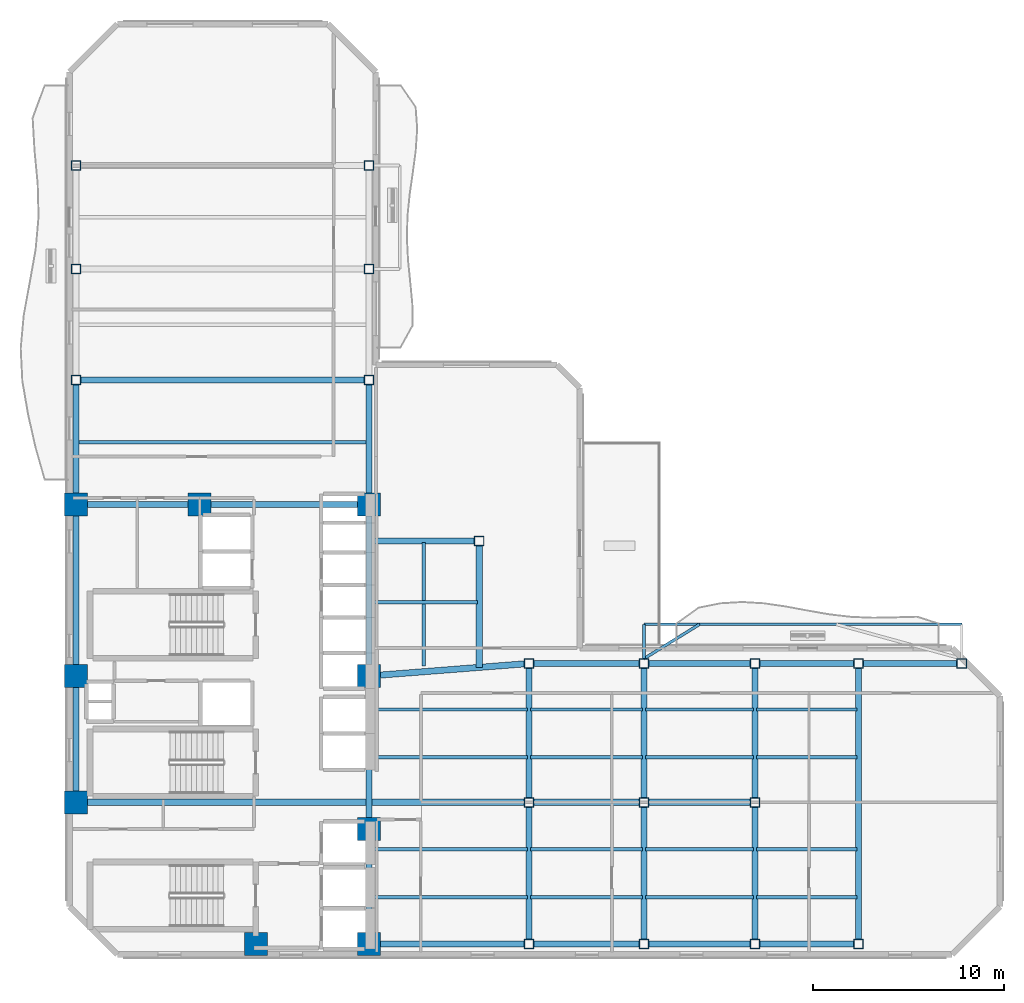
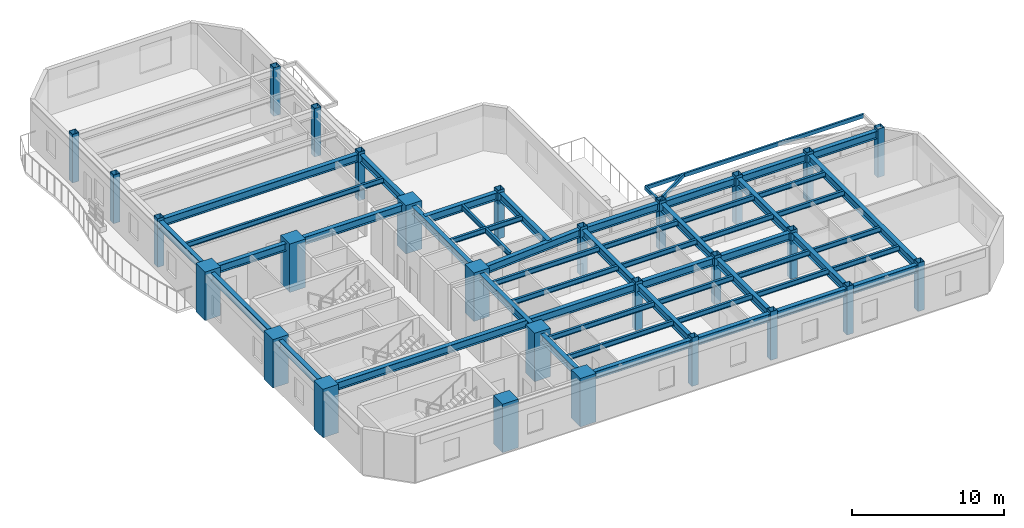
# One storey, part 1 of 11: 53 beams, 28 columns.
"""IFC4 building model written with IfcOpenShell, lengths in metres."""

from ifc_helpers import new_model, si_unit, direction, frame, origin, origin_2d, place, context, subcontext, project, spatial, rectangle, hollow_rectangle, i_section, extrude, material, material_profile, profile_set, type_object, element, save


model = new_model("IFC4")

# Units and contexts
model_context = context("Model", 3, precision=1e-05, world=origin(), true_north=direction((0.0, 1.0)))
body_context = subcontext(model_context, "Body", "Model", "MODEL_VIEW")
ifc_project = project(units=[si_unit("LENGTHUNIT", "METRE"), si_unit("AREAUNIT", "SQUARE_METRE"), si_unit("VOLUMEUNIT", "CUBIC_METRE"), si_unit("PLANEANGLEUNIT", "RADIAN"), si_unit("MASSUNIT", "GRAM", prefix="KILO")], contexts=[model_context])

# Site, building, storey
site_placement = place(None, origin())
site = spatial("IfcSite", under=ifc_project, at=site_placement, CompositionType="ELEMENT")
building_placement = place(site_placement, origin())
building = spatial("IfcBuilding", under=site, at=building_placement, Name="Mawjaban Terraces University", CompositionType="ELEMENT")
storey_placement = place(building_placement, frame((0.0, 0.0, 103.39990234375)))
storey = spatial("IfcBuildingStorey", under=building, at=storey_placement, Name="L24", CompositionType="ELEMENT", Elevation=103.39990234375)

# Columns
ifc_material_1 = material(Name="Concrete C60/75", Category="concrete")
ifc_material_profile_1 = material_profile(ifc_material_1, rectangle(XDim=1.199951171875, YDim=1.199951171875, at=origin_2d()), Name="RC1200X1200")
ifc_profile_set_1 = profile_set([ifc_material_profile_1], Name="Concrete C60/75")
column_type_1 = type_object("IfcColumnType", Name="Col_RC1200X1200", PredefinedType="COLUMN", material=ifc_profile_set_1)
for number, where, z_axis, x_axis, name in (
    (1, (31.75, 0.550048828125, 0.0), (0.0, 0.0, 1.0), (1.0, 0.0, 0.0), "L24 Column CC2"),
    (2, (37.64990234375, 0.550048828125, 0.0), (0.0, 0.0, 1.0), (1.0, 0.0, 0.0), "L24 Column CC3"),
    (3, (22.35009765625, 7.949951171875, 0.0), (0.0, 0.0, 1.0), (1.0, 0.0, 0.0), "L24 Column CC4"),
    (4, (37.64990234375, 6.550048828125, 0.0), (0.0, 0.0, 1.0), (1.0, 0.0, 0.0), "L24 Column CC5"),
    (5, (22.35009765625, 14.550048828125, 0.0), (0.0, 0.0, 1.0), (1.0, 0.0, 0.0), "L24 Column CC6"),
    (6, (37.64990234375, 14.550048828125, 0.0), (0.0, 0.0, 1.0), (1.0, 0.0, 0.0), "L24 Column CC7"),
    (7, (22.35009765625, 23.5, 0.0), (0.0, 0.0, 1.0), (1.0, 0.0, 0.0), "L24 Column CC8"),
    (8, (28.800048828125, 23.5, 0.0), (0.0, 0.0, 1.0), (1.0, 0.0, 0.0), "L24 Column CC9"),
    (9, (37.64990234375, 23.5, 0.0), (0.0, 0.0, 1.0), (1.0, 0.0, 0.0), "L24 Column CC10"),
):
    element("IfcColumn", number, at=place(storey_placement, frame(where, z_axis=z_axis, x_axis=x_axis)), inside=storey, type_object=column_type_1, Name=name, PredefinedType="COLUMN", context=body_context, shape_type="SweptSolid", body=[
        extrude(rectangle(XDim=1.199951171875, YDim=1.199951171875, at=origin_2d()), origin(), (0.0, 0.0, 1.0), 3.900146484375),
    ])
ifc_material_2 = material(Name="Steel EN 10210-1 S355J2H", Category="steel")
ifc_material_profile_2 = material_profile(ifc_material_2, hollow_rectangle(XDim=0.5, YDim=0.5, WallThickness=0.02490234375, at=origin_2d()), Name="SHS500X500X25")
ifc_profile_set_2 = profile_set([ifc_material_profile_2], Name="Steel EN 10210-1 S355J2H")
column_type_2 = type_object("IfcColumnType", Name="Col_SHS500X500X25", PredefinedType="COLUMN", material=ifc_profile_set_2)
for number, where, z_axis, x_axis, name in (
    (10, (46.0, 0.550048828125, 0.0), (0.0, 0.0, 1.0), (1.0, 0.0, 0.0), "L24 Column TE-460-005"),
    (11, (46.0, 7.949951171875, 0.0), (0.0, 0.0, 1.0), (1.0, 0.0, 0.0), "L24 Column TE-460-080"),
    (12, (46.0, 15.199951171875, 0.0), (0.0, 0.0, 1.0), (1.0, 0.0, 0.0), "L24 Column TE-460-152"),
    (13, (52.0, 0.550048828125, 0.0), (0.0, 0.0, 1.0), (1.0, 0.0, 0.0), "L24 Column TE-520-005"),
    (14, (52.0, 7.949951171875, 0.0), (0.0, 0.0, 1.0), (1.0, 0.0, 0.0), "L24 Column TE-520-080"),
    (15, (52.0, 15.199951171875, 0.0), (0.0, 0.0, 1.0), (1.0, 0.0, 0.0), "L24 Column TE-520-152"),
    (16, (57.800048828125, 0.550048828125, 0.0), (0.0, 0.0, 1.0), (1.0, 0.0, 0.0), "L24 Column TE-578-005"),
    (17, (57.800048828125, 7.949951171875, 0.0), (0.0, 0.0, 1.0), (1.0, 0.0, 0.0), "L24 Column TE-578-080"),
    (18, (57.800048828125, 15.199951171875, 0.0), (0.0, 0.0, 1.0), (1.0, 0.0, 0.0), "L24 Column TE-578-152"),
    (19, (63.199951171875, 0.550048828125, 0.0), (0.0, 0.0, 1.0), (1.0, 0.0, 0.0), "L24 Column TE-632-005"),
    (20, (63.199951171875, 15.199951171875, 0.0), (0.0, 0.0, 1.0), (1.0, 0.0, 0.0), "L24 Column TE-632-152"),
    (21, (68.60009765625, 15.199951171875, 0.0), (0.0, 0.0, 1.0), (1.0, 0.0, 0.0), "L24 Column TE-686-152"),
    (22, (22.35009765625, 30.0, 0.0), (0.0, 0.0, 1.0), (1.0, 0.0, 0.0), "L24 Column TN-223-300"),
    (23, (37.64990234375, 30.0, 0.0), (0.0, 0.0, 1.0), (1.0, 0.0, 0.0), "L24 Column TN-376-300"),
    (24, (22.35009765625, 35.800048828125, 0.0), (0.0, 0.0, 1.0), (1.0, 0.0, 0.0), "L24 Column TN-223-358"),
    (25, (37.64990234375, 35.800048828125, 0.0), (0.0, 0.0, 1.0), (1.0, 0.0, 0.0), "L24 Column TN-376-358"),
    (26, (22.35009765625, 41.199951171875, 0.0), (0.0, 0.0, 1.0), (1.0, 0.0, 0.0), "L24 Column TN-223-412"),
    (27, (37.64990234375, 41.199951171875, 0.0), (0.0, 0.0, 1.0), (1.0, 0.0, 0.0), "L24 Column TN-376-412"),
    (28, (43.39990234375, 21.60009765625, 0.0), (0.0, 0.0, 1.0), (1.0, 0.0, 0.0), "L24 Column TS-434-216"),
):
    element("IfcColumn", number, at=place(storey_placement, frame(where, z_axis=z_axis, x_axis=x_axis)), inside=storey, type_object=column_type_2, Name=name, PredefinedType="COLUMN", context=body_context, shape_type="SweptSolid", body=[
        extrude(hollow_rectangle(XDim=0.5, YDim=0.5, WallThickness=0.02490234375, at=origin_2d()), origin(), (0.0, 0.0, 1.0), 3.900146484375),
    ])

# Beams
ifc_material_profile_3 = material_profile(ifc_material_2, hollow_rectangle(XDim=0.14990234375, YDim=0.300048828125, WallThickness=0.012451171875, at=origin_2d()), Name="RHS300X150X12.5")
ifc_profile_set_3 = profile_set([ifc_material_profile_3], Name="Steel EN 10210-1 S355J2H")
beam_type_1 = type_object("IfcBeamType", Name="BalconyCantileverSpandrel_RHS", PredefinedType="SPANDREL", material=ifc_profile_set_3)
beam_1_placement = place(storey_placement, frame((52.0, 15.449951171875, 3.5400390625), z_axis=(0.0, 1.0, 0.0), x_axis=(-1.0, 0.0, 0.0)))
element("IfcBeam", 29, at=beam_1_placement, inside=storey, type_object=beam_type_1, Name="L24 Exterior Outrigger BAL-L25-N.1", PredefinedType="SPANDREL", context=body_context, shape_type="SweptSolid", body=[
    extrude(hollow_rectangle(XDim=0.14990234375, YDim=0.300048828125, WallThickness=0.012451171875, at=origin_2d()), origin(), (0.0, 0.0, 1.0), 1.800048828125),
])
beam_2_placement = place(storey_placement, frame((52.0, 17.25, 3.5400390625), z_axis=(1.0, 0.0, 0.0), x_axis=(0.0, 1.0, 0.0)))
element("IfcBeam", 30, at=beam_2_placement, inside=storey, type_object=beam_type_1, Name="L24 Exterior Edge Spandrel BAL-L25-N", PredefinedType="SPANDREL", context=body_context, shape_type="SweptSolid", body=[
    extrude(hollow_rectangle(XDim=0.14990234375, YDim=0.300048828125, WallThickness=0.012451171875, at=origin_2d()), origin(), (0.0, 0.0, 1.0), 16.60009765625),
])
beam_3_placement = place(storey_placement, frame((52.0, 15.449951171875, 3.5400390625), z_axis=(0.850359433477, 0.526202274698, 0.0), x_axis=(-0.526202274698, 0.850359433477, 0.0)))
element("IfcBeam", 31, at=beam_3_placement, inside=storey, type_object=beam_type_1, Name="L24 Exterior Diagonal Strut BAL-L25-N.1", PredefinedType="SPANDREL", context=body_context, shape_type="SweptSolid", body=[
    extrude(hollow_rectangle(XDim=0.14990234375, YDim=0.300048828125, WallThickness=0.012451171875, at=origin_2d()), origin(), (0.0, 0.0, 1.0), 3.4208984375),
])
ifc_material_3 = material(Name="Steel ASTM A572 Grade 50", Category="steel")
ifc_material_profile_4 = material_profile(ifc_material_3, i_section(OverallWidth=0.324951171875, OverallDepth=0.615966796875, WebThickness=0.013916015625, FlangeThickness=0.021484375, at=origin_2d()), Name="W610X174")
ifc_profile_set_4 = profile_set([ifc_material_profile_4], Name="Steel ASTM A572 Grade 50")
beam_type_2 = type_object("IfcBeamType", Name="Beam_B_W610X174", PredefinedType="BEAM", material=ifc_profile_set_4)
beam_4_placement = place(storey_placement, frame((38.25, 0.550048828125, 3.382080078125), z_axis=(1.0, 0.0, 0.0), x_axis=(0.0, 1.0, 0.0)))
element("IfcBeam", 32, at=beam_4_placement, inside=storey, type_object=beam_type_2, Name="L24 Beam BM-L24-EW-01", PredefinedType="BEAM", context=body_context, shape_type="SweptSolid", body=[
    extrude(i_section(OverallWidth=0.324951171875, OverallDepth=0.615966796875, WebThickness=0.013916015625, FlangeThickness=0.021484375, at=origin_2d()), origin(), (0.0, 0.0, 1.0), 7.5),
])
beam_5_placement = place(storey_placement, frame((46.25, 0.550048828125, 3.382080078125), z_axis=(1.0, 0.0, 0.0), x_axis=(0.0, 1.0, 0.0)))
element("IfcBeam", 33, at=beam_5_placement, inside=storey, type_object=beam_type_2, Name="L24 Beam BM-L24-EW-02", PredefinedType="BEAM", context=body_context, shape_type="SweptSolid", body=[
    extrude(i_section(OverallWidth=0.324951171875, OverallDepth=0.615966796875, WebThickness=0.013916015625, FlangeThickness=0.021484375, at=origin_2d()), origin(), (0.0, 0.0, 1.0), 5.5),
])
beam_6_placement = place(storey_placement, frame((52.25, 0.550048828125, 3.382080078125), z_axis=(1.0, 0.0, 0.0), x_axis=(0.0, 1.0, 0.0)))
element("IfcBeam", 34, at=beam_6_placement, inside=storey, type_object=beam_type_2, Name="L24 Beam BM-L24-EW-03", PredefinedType="BEAM", context=body_context, shape_type="SweptSolid", body=[
    extrude(i_section(OverallWidth=0.324951171875, OverallDepth=0.615966796875, WebThickness=0.013916015625, FlangeThickness=0.021484375, at=origin_2d()), origin(), (0.0, 0.0, 1.0), 5.300048828125),
])
beam_7_placement = place(storey_placement, frame((58.050048828125, 0.550048828125, 3.382080078125), z_axis=(1.0, 0.0, 0.0), x_axis=(0.0, 1.0, 0.0)))
element("IfcBeam", 35, at=beam_7_placement, inside=storey, type_object=beam_type_2, Name="L24 Beam BM-L24-EW-04", PredefinedType="BEAM", context=body_context, shape_type="SweptSolid", body=[
    extrude(i_section(OverallWidth=0.324951171875, OverallDepth=0.615966796875, WebThickness=0.013916015625, FlangeThickness=0.021484375, at=origin_2d()), origin(), (0.0, 0.0, 1.0), 4.89990234375),
])
beam_8_placement = place(storey_placement, frame((22.949951171875, 7.949951171875, 3.382080078125), z_axis=(1.0, 0.0, 0.0), x_axis=(0.0, 1.0, 0.0)))
element("IfcBeam", 36, at=beam_8_placement, inside=storey, type_object=beam_type_2, Name="L24 Beam BM-L24-EW-05", PredefinedType="BEAM", context=body_context, shape_type="SweptSolid", body=[
    extrude(i_section(OverallWidth=0.324951171875, OverallDepth=0.615966796875, WebThickness=0.013916015625, FlangeThickness=0.021484375, at=origin_2d()), origin(), (0.0, 0.0, 1.0), 22.800048828125),
])
beam_9_placement = place(storey_placement, frame((46.25, 7.949951171875, 3.382080078125), z_axis=(1.0, 0.0, 0.0), x_axis=(0.0, 1.0, 0.0)))
element("IfcBeam", 37, at=beam_9_placement, inside=storey, type_object=beam_type_2, Name="L24 Beam BM-L24-EW-06", PredefinedType="BEAM", context=body_context, shape_type="SweptSolid", body=[
    extrude(i_section(OverallWidth=0.324951171875, OverallDepth=0.615966796875, WebThickness=0.013916015625, FlangeThickness=0.021484375, at=origin_2d()), origin(), (0.0, 0.0, 1.0), 5.5),
])
beam_10_placement = place(storey_placement, frame((52.25, 7.949951171875, 3.382080078125), z_axis=(1.0, 0.0, 0.0), x_axis=(0.0, 1.0, 0.0)))
element("IfcBeam", 38, at=beam_10_placement, inside=storey, type_object=beam_type_2, Name="L24 Beam BM-L24-EW-07", PredefinedType="BEAM", context=body_context, shape_type="SweptSolid", body=[
    extrude(i_section(OverallWidth=0.324951171875, OverallDepth=0.615966796875, WebThickness=0.013916015625, FlangeThickness=0.021484375, at=origin_2d()), origin(), (0.0, 0.0, 1.0), 5.300048828125),
])
beam_11_placement = place(storey_placement, frame((46.25, 15.199951171875, 3.382080078125), z_axis=(1.0, 0.0, 0.0), x_axis=(0.0, 1.0, 0.0)))
element("IfcBeam", 39, at=beam_11_placement, inside=storey, type_object=beam_type_2, Name="L24 Beam BM-L24-EW-08", PredefinedType="BEAM", context=body_context, shape_type="SweptSolid", body=[
    extrude(i_section(OverallWidth=0.324951171875, OverallDepth=0.615966796875, WebThickness=0.013916015625, FlangeThickness=0.021484375, at=origin_2d()), origin(), (0.0, 0.0, 1.0), 5.5),
])
beam_12_placement = place(storey_placement, frame((52.25, 15.199951171875, 3.382080078125), z_axis=(1.0, 0.0, 0.0), x_axis=(0.0, 1.0, 0.0)))
element("IfcBeam", 40, at=beam_12_placement, inside=storey, type_object=beam_type_2, Name="L24 Beam BM-L24-EW-09", PredefinedType="BEAM", context=body_context, shape_type="SweptSolid", body=[
    extrude(i_section(OverallWidth=0.324951171875, OverallDepth=0.615966796875, WebThickness=0.013916015625, FlangeThickness=0.021484375, at=origin_2d()), origin(), (0.0, 0.0, 1.0), 5.300048828125),
])
beam_13_placement = place(storey_placement, frame((58.050048828125, 15.199951171875, 3.382080078125), z_axis=(1.0, 0.0, 0.0), x_axis=(0.0, 1.0, 0.0)))
element("IfcBeam", 41, at=beam_13_placement, inside=storey, type_object=beam_type_2, Name="L24 Beam BM-L24-EW-10", PredefinedType="BEAM", context=body_context, shape_type="SweptSolid", body=[
    extrude(i_section(OverallWidth=0.324951171875, OverallDepth=0.615966796875, WebThickness=0.013916015625, FlangeThickness=0.021484375, at=origin_2d()), origin(), (0.0, 0.0, 1.0), 4.89990234375),
])
beam_14_placement = place(storey_placement, frame((63.449951171875, 15.199951171875, 3.382080078125), z_axis=(1.0, 0.0, 0.0), x_axis=(0.0, 1.0, 0.0)))
element("IfcBeam", 42, at=beam_14_placement, inside=storey, type_object=beam_type_2, Name="L24 Beam BM-L24-EW-11", PredefinedType="BEAM", context=body_context, shape_type="SweptSolid", body=[
    extrude(i_section(OverallWidth=0.324951171875, OverallDepth=0.615966796875, WebThickness=0.013916015625, FlangeThickness=0.021484375, at=origin_2d()), origin(), (0.0, 0.0, 1.0), 4.900146484375),
])
beam_15_placement = place(storey_placement, frame((22.949951171875, 23.5, 3.382080078125), z_axis=(1.0, 0.0, 0.0), x_axis=(0.0, 1.0, 0.0)))
element("IfcBeam", 43, at=beam_15_placement, inside=storey, type_object=beam_type_2, Name="L24 Beam BM-L24-EW-12", PredefinedType="BEAM", context=body_context, shape_type="SweptSolid", body=[
    extrude(i_section(OverallWidth=0.324951171875, OverallDepth=0.615966796875, WebThickness=0.013916015625, FlangeThickness=0.021484375, at=origin_2d()), origin(), (0.0, 0.0, 1.0), 5.25),
])
beam_16_placement = place(storey_placement, frame((29.39990234375, 23.5, 3.382080078125), z_axis=(1.0, 0.0, 0.0), x_axis=(0.0, 1.0, 0.0)))
element("IfcBeam", 44, at=beam_16_placement, inside=storey, type_object=beam_type_2, Name="L24 Beam BM-L24-EW-13", PredefinedType="BEAM", context=body_context, shape_type="SweptSolid", body=[
    extrude(i_section(OverallWidth=0.324951171875, OverallDepth=0.615966796875, WebThickness=0.013916015625, FlangeThickness=0.021484375, at=origin_2d()), origin(), (0.0, 0.0, 1.0), 7.650146484375),
])
beam_17_placement = place(storey_placement, frame((22.60009765625, 30.0, 3.382080078125), z_axis=(1.0, 0.0, 0.0), x_axis=(0.0, 1.0, 0.0)))
element("IfcBeam", 45, at=beam_17_placement, inside=storey, type_object=beam_type_2, Name="L24 Beam BM-L24-EW-14", PredefinedType="BEAM", context=body_context, shape_type="SweptSolid", body=[
    extrude(i_section(OverallWidth=0.324951171875, OverallDepth=0.615966796875, WebThickness=0.013916015625, FlangeThickness=0.021484375, at=origin_2d()), origin(), (0.0, 0.0, 1.0), 14.7998046875),
])
beam_18_placement = place(storey_placement, frame((22.35009765625, 8.550048828125, 3.382080078125), z_axis=(0.0, 1.0, 0.0), x_axis=(-1.0, 0.0, 0.0)))
element("IfcBeam", 46, at=beam_18_placement, inside=storey, type_object=beam_type_2, Name="L24 Beam BM-L24-NS-01", PredefinedType="BEAM", context=body_context, shape_type="SweptSolid", body=[
    extrude(i_section(OverallWidth=0.324951171875, OverallDepth=0.615966796875, WebThickness=0.013916015625, FlangeThickness=0.021484375, at=origin_2d()), origin(), (0.0, 0.0, 1.0), 5.39990234375),
])
beam_19_placement = place(storey_placement, frame((22.35009765625, 15.14990234375, 3.382080078125), z_axis=(0.0, 1.0, 0.0), x_axis=(-1.0, 0.0, 0.0)))
element("IfcBeam", 47, at=beam_19_placement, inside=storey, type_object=beam_type_2, Name="L24 Beam BM-L24-NS-02", PredefinedType="BEAM", context=body_context, shape_type="SweptSolid", body=[
    extrude(i_section(OverallWidth=0.324951171875, OverallDepth=0.615966796875, WebThickness=0.013916015625, FlangeThickness=0.021484375, at=origin_2d()), origin(), (0.0, 0.0, 1.0), 7.75),
])
beam_20_placement = place(storey_placement, frame((22.35009765625, 24.10009765625, 3.382080078125), z_axis=(0.0, 1.0, 0.0), x_axis=(-1.0, 0.0, 0.0)))
element("IfcBeam", 48, at=beam_20_placement, inside=storey, type_object=beam_type_2, Name="L24 Beam BM-L24-NS-03", PredefinedType="BEAM", context=body_context, shape_type="SweptSolid", body=[
    extrude(i_section(OverallWidth=0.324951171875, OverallDepth=0.615966796875, WebThickness=0.013916015625, FlangeThickness=0.021484375, at=origin_2d()), origin(), (0.0, 0.0, 1.0), 5.64990234375),
])
beam_21_placement = place(storey_placement, frame((37.64990234375, 1.14990234375, 3.382080078125), z_axis=(0.0, 1.0, 0.0), x_axis=(-1.0, 0.0, 0.0)))
element("IfcBeam", 49, at=beam_21_placement, inside=storey, type_object=beam_type_2, Name="L24 Beam BM-L24-NS-06", PredefinedType="BEAM", context=body_context, shape_type="SweptSolid", body=[
    extrude(i_section(OverallWidth=0.324951171875, OverallDepth=0.615966796875, WebThickness=0.013916015625, FlangeThickness=0.021484375, at=origin_2d()), origin(), (0.0, 0.0, 1.0), 4.800048828125),
])
beam_22_placement = place(storey_placement, frame((37.64990234375, 7.14990234375, 3.382080078125), z_axis=(0.0, 1.0, 0.0), x_axis=(-1.0, 0.0, 0.0)))
element("IfcBeam", 50, at=beam_22_placement, inside=storey, type_object=beam_type_2, Name="L24 Beam BM-L24-NS-07", PredefinedType="BEAM", context=body_context, shape_type="SweptSolid", body=[
    extrude(i_section(OverallWidth=0.324951171875, OverallDepth=0.615966796875, WebThickness=0.013916015625, FlangeThickness=0.021484375, at=origin_2d()), origin(), (0.0, 0.0, 1.0), 6.800048828125),
])
beam_23_placement = place(storey_placement, frame((37.64990234375, 15.14990234375, 3.382080078125), z_axis=(0.0, 1.0, 0.0), x_axis=(-1.0, 0.0, 0.0)))
element("IfcBeam", 51, at=beam_23_placement, inside=storey, type_object=beam_type_2, Name="L24 Beam BM-L24-NS-08", PredefinedType="BEAM", context=body_context, shape_type="SweptSolid", body=[
    extrude(i_section(OverallWidth=0.324951171875, OverallDepth=0.615966796875, WebThickness=0.013916015625, FlangeThickness=0.021484375, at=origin_2d()), origin(), (0.0, 0.0, 1.0), 7.75),
])
beam_24_placement = place(storey_placement, frame((37.64990234375, 24.10009765625, 3.382080078125), z_axis=(0.0, 1.0, 0.0), x_axis=(-1.0, 0.0, 0.0)))
element("IfcBeam", 52, at=beam_24_placement, inside=storey, type_object=beam_type_2, Name="L24 Beam BM-L24-NS-09", PredefinedType="BEAM", context=body_context, shape_type="SweptSolid", body=[
    extrude(i_section(OverallWidth=0.324951171875, OverallDepth=0.615966796875, WebThickness=0.013916015625, FlangeThickness=0.021484375, at=origin_2d()), origin(), (0.0, 0.0, 1.0), 5.64990234375),
])
beam_25_placement = place(storey_placement, frame((46.0, 0.800048828125, 3.382080078125), z_axis=(0.0, 1.0, 0.0), x_axis=(-1.0, 0.0, 0.0)))
element("IfcBeam", 53, at=beam_25_placement, inside=storey, type_object=beam_type_2, Name="L24 Beam BM-L24-NS-12", PredefinedType="BEAM", context=body_context, shape_type="SweptSolid", body=[
    extrude(i_section(OverallWidth=0.324951171875, OverallDepth=0.615966796875, WebThickness=0.013916015625, FlangeThickness=0.021484375, at=origin_2d()), origin(), (0.0, 0.0, 1.0), 6.89990234375),
])
beam_26_placement = place(storey_placement, frame((46.0, 8.199951171875, 3.382080078125), z_axis=(0.0, 1.0, 0.0), x_axis=(-1.0, 0.0, 0.0)))
element("IfcBeam", 54, at=beam_26_placement, inside=storey, type_object=beam_type_2, Name="L24 Beam BM-L24-NS-13", PredefinedType="BEAM", context=body_context, shape_type="SweptSolid", body=[
    extrude(i_section(OverallWidth=0.324951171875, OverallDepth=0.615966796875, WebThickness=0.013916015625, FlangeThickness=0.021484375, at=origin_2d()), origin(), (0.0, 0.0, 1.0), 6.75),
])
beam_27_placement = place(storey_placement, frame((52.0, 0.800048828125, 3.382080078125), z_axis=(0.0, 1.0, 0.0), x_axis=(-1.0, 0.0, 0.0)))
element("IfcBeam", 55, at=beam_27_placement, inside=storey, type_object=beam_type_2, Name="L24 Beam BM-L24-NS-14", PredefinedType="BEAM", context=body_context, shape_type="SweptSolid", body=[
    extrude(i_section(OverallWidth=0.324951171875, OverallDepth=0.615966796875, WebThickness=0.013916015625, FlangeThickness=0.021484375, at=origin_2d()), origin(), (0.0, 0.0, 1.0), 6.89990234375),
])
beam_28_placement = place(storey_placement, frame((52.0, 8.199951171875, 3.382080078125), z_axis=(0.0, 1.0, 0.0), x_axis=(-1.0, 0.0, 0.0)))
element("IfcBeam", 56, at=beam_28_placement, inside=storey, type_object=beam_type_2, Name="L24 Beam BM-L24-NS-15", PredefinedType="BEAM", context=body_context, shape_type="SweptSolid", body=[
    extrude(i_section(OverallWidth=0.324951171875, OverallDepth=0.615966796875, WebThickness=0.013916015625, FlangeThickness=0.021484375, at=origin_2d()), origin(), (0.0, 0.0, 1.0), 6.75),
])
beam_29_placement = place(storey_placement, frame((57.800048828125, 0.800048828125, 3.382080078125), z_axis=(0.0, 1.0, 0.0), x_axis=(-1.0, 0.0, 0.0)))
element("IfcBeam", 57, at=beam_29_placement, inside=storey, type_object=beam_type_2, Name="L24 Beam BM-L24-NS-16", PredefinedType="BEAM", context=body_context, shape_type="SweptSolid", body=[
    extrude(i_section(OverallWidth=0.324951171875, OverallDepth=0.615966796875, WebThickness=0.013916015625, FlangeThickness=0.021484375, at=origin_2d()), origin(), (0.0, 0.0, 1.0), 6.89990234375),
])
beam_30_placement = place(storey_placement, frame((57.800048828125, 8.199951171875, 3.382080078125), z_axis=(0.0, 1.0, 0.0), x_axis=(-1.0, 0.0, 0.0)))
element("IfcBeam", 58, at=beam_30_placement, inside=storey, type_object=beam_type_2, Name="L24 Beam BM-L24-NS-17", PredefinedType="BEAM", context=body_context, shape_type="SweptSolid", body=[
    extrude(i_section(OverallWidth=0.324951171875, OverallDepth=0.615966796875, WebThickness=0.013916015625, FlangeThickness=0.021484375, at=origin_2d()), origin(), (0.0, 0.0, 1.0), 6.75),
])
beam_31_placement = place(storey_placement, frame((63.199951171875, 0.800048828125, 3.382080078125), z_axis=(0.0, 1.0, 0.0), x_axis=(-1.0, 0.0, 0.0)))
element("IfcBeam", 59, at=beam_31_placement, inside=storey, type_object=beam_type_2, Name="L24 Beam BM-L24-NS-18", PredefinedType="BEAM", context=body_context, shape_type="SweptSolid", body=[
    extrude(i_section(OverallWidth=0.324951171875, OverallDepth=0.615966796875, WebThickness=0.013916015625, FlangeThickness=0.021484375, at=origin_2d()), origin(), (0.0, 0.0, 1.0), 14.14990234375),
])
beam_32_placement = place(storey_placement, frame((38.248046875, 14.596923828125, 3.382080078125), z_axis=(0.996984614132, 0.077599479273, 0.0), x_axis=(-0.077599479273, 0.996984614132, 0.0)))
element("IfcBeam", 60, at=beam_32_placement, inside=storey, type_object=beam_type_2, Name="L24 Beam BM-L24-CTIE", PredefinedType="BEAM", context=body_context, shape_type="SweptSolid", body=[
    extrude(i_section(OverallWidth=0.324951171875, OverallDepth=0.615966796875, WebThickness=0.013916015625, FlangeThickness=0.021484375, at=origin_2d()), origin(), (0.0, 0.0, 1.0), 7.525634765625),
])
beam_33_placement = place(storey_placement, frame((37.679931640625, 21.60009765625, 3.382080078125), z_axis=(1.0, 0.0, 0.0), x_axis=(0.0, 1.0, 0.0)))
element("IfcBeam", 61, at=beam_33_placement, inside=storey, type_object=beam_type_2, Name="L24 Spur Tie Girder West", PredefinedType="BEAM", context=body_context, shape_type="SweptSolid", body=[
    extrude(i_section(OverallWidth=0.324951171875, OverallDepth=0.615966796875, WebThickness=0.013916015625, FlangeThickness=0.021484375, at=origin_2d()), origin(), (0.0, 0.0, 1.0), 5.469970703125),
])
beam_34_placement = place(storey_placement, frame((43.39990234375, 15.0, 3.382080078125), z_axis=(0.0, 1.0, 0.0), x_axis=(-1.0, 0.0, 0.0)))
element("IfcBeam", 62, at=beam_34_placement, inside=storey, type_object=beam_type_2, Name="L24 Spur Tie Girder South", PredefinedType="BEAM", context=body_context, shape_type="SweptSolid", body=[
    extrude(i_section(OverallWidth=0.324951171875, OverallDepth=0.615966796875, WebThickness=0.013916015625, FlangeThickness=0.021484375, at=origin_2d()), origin(), (0.0, 0.0, 1.0), 6.35009765625),
])
ifc_material_profile_5 = material_profile(ifc_material_3, i_section(OverallWidth=0.179931640625, OverallDepth=0.4130859375, WebThickness=0.009765625, FlangeThickness=0.01611328125, at=origin_2d()), Name="W410X74")
ifc_profile_set_5 = profile_set([ifc_material_profile_5], Name="Steel ASTM A572 Grade 50")
beam_type_3 = type_object("IfcBeamType", Name="Beam_J_W410X74", PredefinedType="JOIST", material=ifc_profile_set_5)
beam_35_placement = place(storey_placement, frame((37.72998046875, 3.0, 3.483154296875), z_axis=(1.0, 0.0, 0.0), x_axis=(0.0, 1.0, 0.0)))
element("IfcBeam", 63, at=beam_35_placement, inside=storey, type_object=beam_type_3, Name="L24 Composite Joist JST-L24-01", PredefinedType="JOIST", context=body_context, shape_type="SweptSolid", body=[
    extrude(i_section(OverallWidth=0.179931640625, OverallDepth=0.4130859375, WebThickness=0.009765625, FlangeThickness=0.01611328125, at=origin_2d()), origin(), (0.0, 0.0, 1.0), 8.18994140625),
])
beam_36_placement = place(storey_placement, frame((46.080078125, 3.0, 3.483154296875), z_axis=(1.0, 0.0, 0.0), x_axis=(0.0, 1.0, 0.0)))
element("IfcBeam", 64, at=beam_36_placement, inside=storey, type_object=beam_type_3, Name="L24 Composite Joist JST-L24-02", PredefinedType="JOIST", context=body_context, shape_type="SweptSolid", body=[
    extrude(i_section(OverallWidth=0.179931640625, OverallDepth=0.4130859375, WebThickness=0.009765625, FlangeThickness=0.01611328125, at=origin_2d()), origin(), (0.0, 0.0, 1.0), 5.83984375),
])
beam_37_placement = place(storey_placement, frame((52.080078125, 3.0, 3.483154296875), z_axis=(1.0, 0.0, 0.0), x_axis=(0.0, 1.0, 0.0)))
element("IfcBeam", 65, at=beam_37_placement, inside=storey, type_object=beam_type_3, Name="L24 Composite Joist JST-L24-03", PredefinedType="JOIST", context=body_context, shape_type="SweptSolid", body=[
    extrude(i_section(OverallWidth=0.179931640625, OverallDepth=0.4130859375, WebThickness=0.009765625, FlangeThickness=0.01611328125, at=origin_2d()), origin(), (0.0, 0.0, 1.0), 5.639892578125),
])
beam_38_placement = place(storey_placement, frame((57.8798828125, 3.0, 3.483154296875), z_axis=(1.0, 0.0, 0.0), x_axis=(0.0, 1.0, 0.0)))
element("IfcBeam", 66, at=beam_38_placement, inside=storey, type_object=beam_type_3, Name="L24 Composite Joist JST-L24-04", PredefinedType="JOIST", context=body_context, shape_type="SweptSolid", body=[
    extrude(i_section(OverallWidth=0.179931640625, OverallDepth=0.4130859375, WebThickness=0.009765625, FlangeThickness=0.01611328125, at=origin_2d()), origin(), (0.0, 0.0, 1.0), 5.240234375),
])
beam_39_placement = place(storey_placement, frame((37.72998046875, 5.5, 3.483154296875), z_axis=(1.0, 0.0, 0.0), x_axis=(0.0, 1.0, 0.0)))
element("IfcBeam", 67, at=beam_39_placement, inside=storey, type_object=beam_type_3, Name="L24 Composite Joist JST-L24-05", PredefinedType="JOIST", context=body_context, shape_type="SweptSolid", body=[
    extrude(i_section(OverallWidth=0.179931640625, OverallDepth=0.4130859375, WebThickness=0.009765625, FlangeThickness=0.01611328125, at=origin_2d()), origin(), (0.0, 0.0, 1.0), 8.18994140625),
])
beam_40_placement = place(storey_placement, frame((46.080078125, 5.5, 3.483154296875), z_axis=(1.0, 0.0, 0.0), x_axis=(0.0, 1.0, 0.0)))
element("IfcBeam", 68, at=beam_40_placement, inside=storey, type_object=beam_type_3, Name="L24 Composite Joist JST-L24-06", PredefinedType="JOIST", context=body_context, shape_type="SweptSolid", body=[
    extrude(i_section(OverallWidth=0.179931640625, OverallDepth=0.4130859375, WebThickness=0.009765625, FlangeThickness=0.01611328125, at=origin_2d()), origin(), (0.0, 0.0, 1.0), 5.83984375),
])
beam_41_placement = place(storey_placement, frame((52.080078125, 5.5, 3.483154296875), z_axis=(1.0, 0.0, 0.0), x_axis=(0.0, 1.0, 0.0)))
element("IfcBeam", 69, at=beam_41_placement, inside=storey, type_object=beam_type_3, Name="L24 Composite Joist JST-L24-07", PredefinedType="JOIST", context=body_context, shape_type="SweptSolid", body=[
    extrude(i_section(OverallWidth=0.179931640625, OverallDepth=0.4130859375, WebThickness=0.009765625, FlangeThickness=0.01611328125, at=origin_2d()), origin(), (0.0, 0.0, 1.0), 5.639892578125),
])
beam_42_placement = place(storey_placement, frame((57.8798828125, 5.5, 3.483154296875), z_axis=(1.0, 0.0, 0.0), x_axis=(0.0, 1.0, 0.0)))
element("IfcBeam", 70, at=beam_42_placement, inside=storey, type_object=beam_type_3, Name="L24 Composite Joist JST-L24-08", PredefinedType="JOIST", context=body_context, shape_type="SweptSolid", body=[
    extrude(i_section(OverallWidth=0.179931640625, OverallDepth=0.4130859375, WebThickness=0.009765625, FlangeThickness=0.01611328125, at=origin_2d()), origin(), (0.0, 0.0, 1.0), 5.240234375),
])
beam_43_placement = place(storey_placement, frame((37.72998046875, 10.300048828125, 3.483154296875), z_axis=(1.0, 0.0, 0.0), x_axis=(0.0, 1.0, 0.0)))
element("IfcBeam", 71, at=beam_43_placement, inside=storey, type_object=beam_type_3, Name="L24 Composite Joist JST-L24-09", PredefinedType="JOIST", context=body_context, shape_type="SweptSolid", body=[
    extrude(i_section(OverallWidth=0.179931640625, OverallDepth=0.4130859375, WebThickness=0.009765625, FlangeThickness=0.01611328125, at=origin_2d()), origin(), (0.0, 0.0, 1.0), 8.18994140625),
])
beam_44_placement = place(storey_placement, frame((46.080078125, 10.300048828125, 3.483154296875), z_axis=(1.0, 0.0, 0.0), x_axis=(0.0, 1.0, 0.0)))
element("IfcBeam", 72, at=beam_44_placement, inside=storey, type_object=beam_type_3, Name="L24 Composite Joist JST-L24-10", PredefinedType="JOIST", context=body_context, shape_type="SweptSolid", body=[
    extrude(i_section(OverallWidth=0.179931640625, OverallDepth=0.4130859375, WebThickness=0.009765625, FlangeThickness=0.01611328125, at=origin_2d()), origin(), (0.0, 0.0, 1.0), 5.83984375),
])
beam_45_placement = place(storey_placement, frame((52.080078125, 10.300048828125, 3.483154296875), z_axis=(1.0, 0.0, 0.0), x_axis=(0.0, 1.0, 0.0)))
element("IfcBeam", 73, at=beam_45_placement, inside=storey, type_object=beam_type_3, Name="L24 Composite Joist JST-L24-11", PredefinedType="JOIST", context=body_context, shape_type="SweptSolid", body=[
    extrude(i_section(OverallWidth=0.179931640625, OverallDepth=0.4130859375, WebThickness=0.009765625, FlangeThickness=0.01611328125, at=origin_2d()), origin(), (0.0, 0.0, 1.0), 5.639892578125),
])
beam_46_placement = place(storey_placement, frame((57.8798828125, 10.300048828125, 3.483154296875), z_axis=(1.0, 0.0, 0.0), x_axis=(0.0, 1.0, 0.0)))
element("IfcBeam", 74, at=beam_46_placement, inside=storey, type_object=beam_type_3, Name="L24 Composite Joist JST-L24-12", PredefinedType="JOIST", context=body_context, shape_type="SweptSolid", body=[
    extrude(i_section(OverallWidth=0.179931640625, OverallDepth=0.4130859375, WebThickness=0.009765625, FlangeThickness=0.01611328125, at=origin_2d()), origin(), (0.0, 0.0, 1.0), 5.240234375),
])
beam_47_placement = place(storey_placement, frame((37.72998046875, 12.800048828125, 3.483154296875), z_axis=(1.0, 0.0, 0.0), x_axis=(0.0, 1.0, 0.0)))
element("IfcBeam", 75, at=beam_47_placement, inside=storey, type_object=beam_type_3, Name="L24 Composite Joist JST-L24-13", PredefinedType="JOIST", context=body_context, shape_type="SweptSolid", body=[
    extrude(i_section(OverallWidth=0.179931640625, OverallDepth=0.4130859375, WebThickness=0.009765625, FlangeThickness=0.01611328125, at=origin_2d()), origin(), (0.0, 0.0, 1.0), 8.18994140625),
])
beam_48_placement = place(storey_placement, frame((46.080078125, 12.800048828125, 3.483154296875), z_axis=(1.0, 0.0, 0.0), x_axis=(0.0, 1.0, 0.0)))
element("IfcBeam", 76, at=beam_48_placement, inside=storey, type_object=beam_type_3, Name="L24 Composite Joist JST-L24-14", PredefinedType="JOIST", context=body_context, shape_type="SweptSolid", body=[
    extrude(i_section(OverallWidth=0.179931640625, OverallDepth=0.4130859375, WebThickness=0.009765625, FlangeThickness=0.01611328125, at=origin_2d()), origin(), (0.0, 0.0, 1.0), 5.83984375),
])
beam_49_placement = place(storey_placement, frame((52.080078125, 12.800048828125, 3.483154296875), z_axis=(1.0, 0.0, 0.0), x_axis=(0.0, 1.0, 0.0)))
element("IfcBeam", 77, at=beam_49_placement, inside=storey, type_object=beam_type_3, Name="L24 Composite Joist JST-L24-15", PredefinedType="JOIST", context=body_context, shape_type="SweptSolid", body=[
    extrude(i_section(OverallWidth=0.179931640625, OverallDepth=0.4130859375, WebThickness=0.009765625, FlangeThickness=0.01611328125, at=origin_2d()), origin(), (0.0, 0.0, 1.0), 5.639892578125),
])
beam_50_placement = place(storey_placement, frame((57.8798828125, 12.800048828125, 3.483154296875), z_axis=(1.0, 0.0, 0.0), x_axis=(0.0, 1.0, 0.0)))
element("IfcBeam", 78, at=beam_50_placement, inside=storey, type_object=beam_type_3, Name="L24 Composite Joist JST-L24-16", PredefinedType="JOIST", context=body_context, shape_type="SweptSolid", body=[
    extrude(i_section(OverallWidth=0.179931640625, OverallDepth=0.4130859375, WebThickness=0.009765625, FlangeThickness=0.01611328125, at=origin_2d()), origin(), (0.0, 0.0, 1.0), 5.240234375),
])
beam_51_placement = place(storey_placement, frame((37.72998046875, 18.39990234375, 3.483154296875), z_axis=(1.0, 0.0, 0.0), x_axis=(0.0, 1.0, 0.0)))
element("IfcBeam", 79, at=beam_51_placement, inside=storey, type_object=beam_type_3, Name="L24 Composite Joist JST-L24-17", PredefinedType="JOIST", context=body_context, shape_type="SweptSolid", body=[
    extrude(i_section(OverallWidth=0.179931640625, OverallDepth=0.4130859375, WebThickness=0.009765625, FlangeThickness=0.01611328125, at=origin_2d()), origin(), (0.0, 0.0, 1.0), 5.590087890625),
])
beam_52_placement = place(storey_placement, frame((22.429931640625, 26.75, 3.483154296875), z_axis=(1.0, 0.0, 0.0), x_axis=(0.0, 1.0, 0.0)))
element("IfcBeam", 80, at=beam_52_placement, inside=storey, type_object=beam_type_3, Name="L24 Composite Joist JST-L24-18", PredefinedType="JOIST", context=body_context, shape_type="SweptSolid", body=[
    extrude(i_section(OverallWidth=0.179931640625, OverallDepth=0.4130859375, WebThickness=0.009765625, FlangeThickness=0.01611328125, at=origin_2d()), origin(), (0.0, 0.0, 1.0), 15.14013671875),
])
beam_53_placement = place(storey_placement, frame((40.5, 15.080078125, 3.483154296875), z_axis=(0.0, 1.0, 0.0), x_axis=(-1.0, 0.0, 0.0)))
element("IfcBeam", 81, at=beam_53_placement, inside=storey, type_object=beam_type_3, Name="L24 Composite Joist JST-L24-NS-21", PredefinedType="JOIST", context=body_context, shape_type="SweptSolid", body=[
    extrude(i_section(OverallWidth=0.179931640625, OverallDepth=0.4130859375, WebThickness=0.009765625, FlangeThickness=0.01611328125, at=origin_2d()), origin(), (0.0, 0.0, 1.0), 6.43994140625),
])

save(model, "model.ifc")
